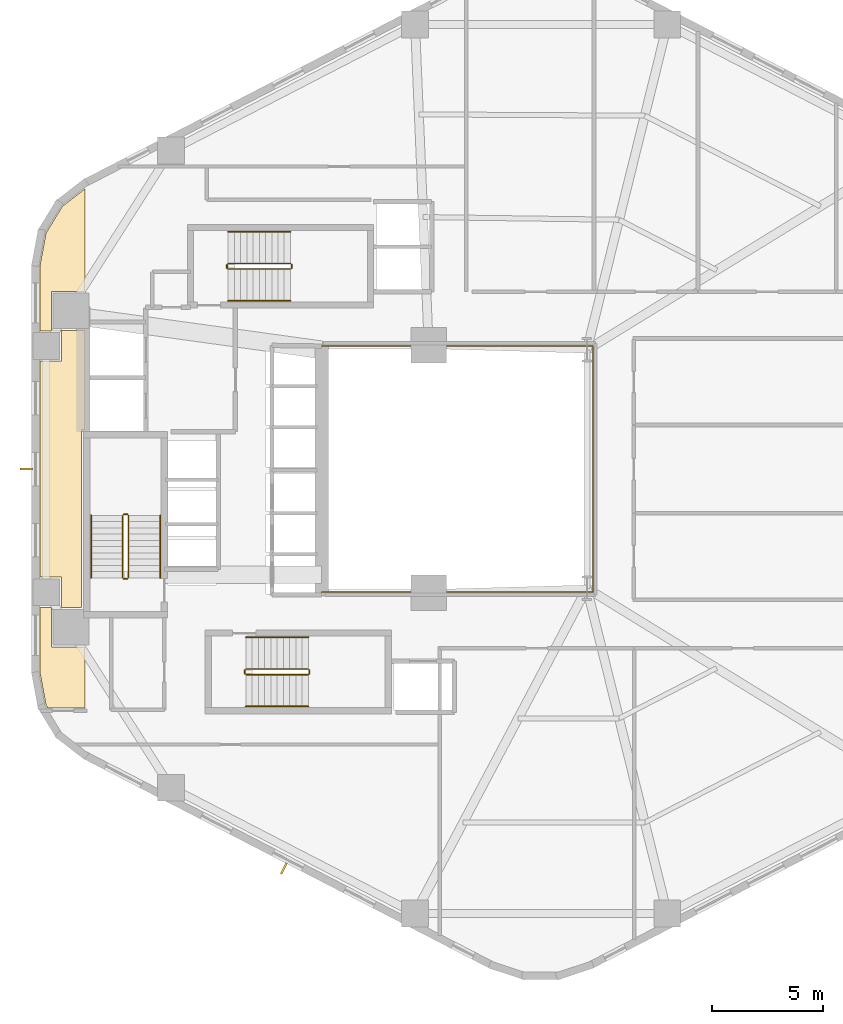
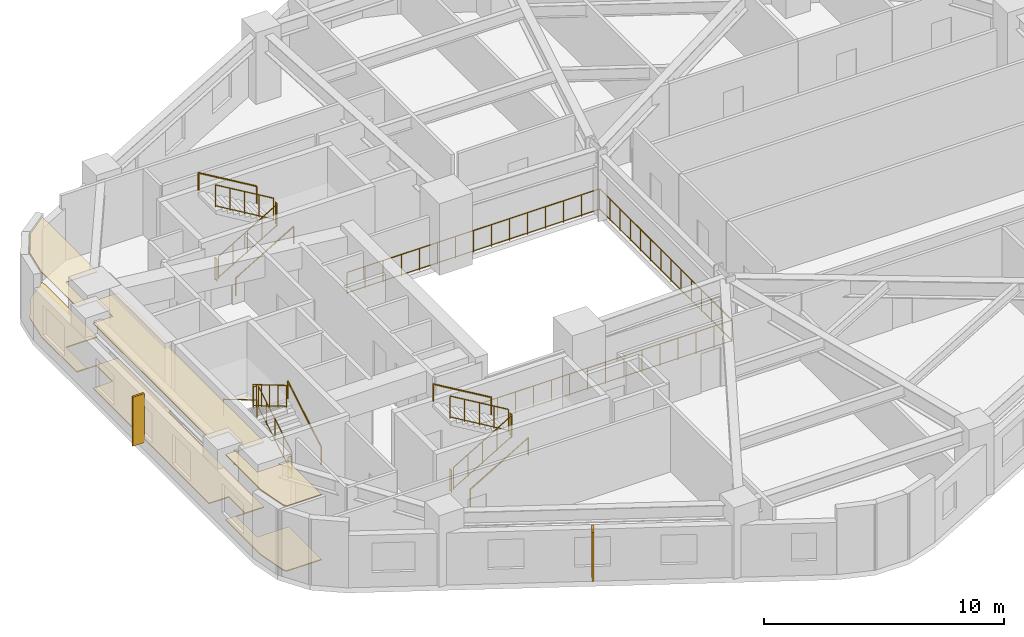
# One storey, part 7 of 7: 19 railings, 2 coverings, 2 shading devices.
"""IFC4 building model written with IfcOpenShell, lengths in metres."""

from ifc_helpers import new_model, si_unit, direction, frame, origin, origin_2d, place, context, subcontext, project, spatial, polyline, rectangle, circle, outline, extrude, material, layer, layer_set, type_object, element, save


model = new_model("IFC4")

# Units and contexts
model_context = context("Model", 3, precision=1e-05, world=origin(), true_north=direction((0.0, 1.0)))
body_context = subcontext(model_context, "Body", "Model", "MODEL_VIEW")
ifc_project = project(units=[si_unit("LENGTHUNIT", "METRE"), si_unit("AREAUNIT", "SQUARE_METRE"), si_unit("VOLUMEUNIT", "CUBIC_METRE"), si_unit("PLANEANGLEUNIT", "RADIAN"), si_unit("MASSUNIT", "GRAM", prefix="KILO"), si_unit("THERMODYNAMICTEMPERATUREUNIT", "KELVIN"), si_unit("POWERUNIT", "WATT")], contexts=[model_context])

# Site, building, storey
site_placement = place(None, origin())
site = spatial("IfcSite", under=ifc_project, at=site_placement, CompositionType="ELEMENT")
building_placement = place(site_placement, origin())
building = spatial("IfcBuilding", under=site, at=building_placement, Name="Skarre Station Tower", CompositionType="ELEMENT")
storey_placement = place(building_placement, frame((0.0, 0.0, 48.89990234375)))
storey = spatial("IfcBuildingStorey", under=building, at=storey_placement, Name="L12", CompositionType="ELEMENT", Elevation=48.89990234375)

# Railing
ifc_material_1 = material(Name="Bronze Anodized Steel & Laminated Glass Balustrade", Category="steel")
railing_type_1 = type_object("IfcRailingType", Name="Atrium Void & Mezzanine Guard Balustrade 1120", PredefinedType="GUARDRAIL", material=ifc_material_1)
railing_1_placement = place(storey_placement, frame((27.550048828125, 18.47998046875, 0.0)))
element("IfcRailing", 1, at=railing_1_placement, inside=storey, type_object=railing_type_1, Name="L12 Atrium Void Guard Balustrade", PredefinedType="GUARDRAIL", context=body_context, shape_type="SweptSolid", body=[
    extrude(circle(Radius=0.02392578125, at=origin_2d()), frame((0.0, 0.0, 1.09619140625), z_axis=(1.0, 0.0, 0.0), x_axis=(0.0, 1.0, 0.0)), (0.0, 0.0, 1.0), 12.169921875),
    extrude(circle(Radius=0.02099609375, at=origin_2d()), frame((0.0, 0.0, 0.06005859375), z_axis=(1.0, 0.0, 0.0), x_axis=(0.0, 1.0, 0.0)), (0.0, 0.0, 1.0), 12.169921875),
    extrude(circle(Radius=0.02392578125, at=origin_2d()), frame((12.169921875, 0.0, 1.09619140625), z_axis=(0.0, 1.0, 0.0), x_axis=(-1.0, 0.0, 0.0)), (0.0, 0.0, 1.0), 11.0400390625),
    extrude(circle(Radius=0.02099609375, at=origin_2d()), frame((12.169921875, 0.0, 0.06005859375), z_axis=(0.0, 1.0, 0.0), x_axis=(-1.0, 0.0, 0.0)), (0.0, 0.0, 1.0), 11.0400390625),
    extrude(circle(Radius=0.02392578125, at=origin_2d()), frame((12.169921875, 11.0400390625, 1.09619140625), z_axis=(-1.0, 0.0, 0.0), x_axis=(0.0, -1.0, 0.0)), (0.0, 0.0, 1.0), 12.169921875),
    extrude(circle(Radius=0.02099609375, at=origin_2d()), frame((12.169921875, 11.0400390625, 0.06005859375), z_axis=(-1.0, 0.0, 0.0), x_axis=(0.0, -1.0, 0.0)), (0.0, 0.0, 1.0), 12.169921875),
    extrude(circle(Radius=0.02099609375, at=origin_2d()), origin(), (0.0, 0.0, 1.0), 1.072021484375),
    extrude(circle(Radius=0.02099609375, at=origin_2d()), frame((0.869384765625, 0.0, 0.0)), (0.0, 0.0, 1.0), 1.072021484375),
    extrude(circle(Radius=0.02099609375, at=origin_2d()), frame((1.738525390625, 0.0, 0.0)), (0.0, 0.0, 1.0), 1.072021484375),
    extrude(circle(Radius=0.02099609375, at=origin_2d()), frame((2.60791015625, 0.0, 0.0)), (0.0, 0.0, 1.0), 1.072021484375),
    extrude(circle(Radius=0.02099609375, at=origin_2d()), frame((3.47705078125, 0.0, 0.0)), (0.0, 0.0, 1.0), 1.072021484375),
    extrude(circle(Radius=0.02099609375, at=origin_2d()), frame((4.346435546875, 0.0, 0.0)), (0.0, 0.0, 1.0), 1.072021484375),
    extrude(circle(Radius=0.02099609375, at=origin_2d()), frame((5.215576171875, 0.0, 0.0)), (0.0, 0.0, 1.0), 1.072021484375),
    extrude(circle(Radius=0.02099609375, at=origin_2d()), frame((6.0849609375, 0.0, 0.0)), (0.0, 0.0, 1.0), 1.072021484375),
    extrude(circle(Radius=0.02099609375, at=origin_2d()), frame((6.954345703125, 0.0, 0.0)), (0.0, 0.0, 1.0), 1.072021484375),
    extrude(circle(Radius=0.02099609375, at=origin_2d()), frame((7.823486328125, 0.0, 0.0)), (0.0, 0.0, 1.0), 1.072021484375),
    extrude(circle(Radius=0.02099609375, at=origin_2d()), frame((8.69287109375, 0.0, 0.0)), (0.0, 0.0, 1.0), 1.072021484375),
    extrude(circle(Radius=0.02099609375, at=origin_2d()), frame((9.56201171875, 0.0, 0.0)), (0.0, 0.0, 1.0), 1.072021484375),
    extrude(circle(Radius=0.02099609375, at=origin_2d()), frame((10.431396484375, 0.0, 0.0)), (0.0, 0.0, 1.0), 1.072021484375),
    extrude(circle(Radius=0.02099609375, at=origin_2d()), frame((11.300537109375, 0.0, 0.0)), (0.0, 0.0, 1.0), 1.072021484375),
    extrude(circle(Radius=0.02099609375, at=origin_2d()), frame((12.169921875, 0.0, 0.0)), (0.0, 0.0, 1.0), 1.072021484375),
    extrude(circle(Radius=0.02099609375, at=origin_2d()), frame((12.169921875, 0.84912109375, 0.0)), (0.0, 0.0, 1.0), 1.072021484375),
    extrude(circle(Radius=0.02099609375, at=origin_2d()), frame((12.169921875, 1.698486328125, 0.0)), (0.0, 0.0, 1.0), 1.072021484375),
    extrude(circle(Radius=0.02099609375, at=origin_2d()), frame((12.169921875, 2.547607421875, 0.0)), (0.0, 0.0, 1.0), 1.072021484375),
    extrude(circle(Radius=0.02099609375, at=origin_2d()), frame((12.169921875, 3.39697265625, 0.0)), (0.0, 0.0, 1.0), 1.072021484375),
    extrude(circle(Radius=0.02099609375, at=origin_2d()), frame((12.169921875, 4.24609375, 0.0)), (0.0, 0.0, 1.0), 1.072021484375),
    extrude(circle(Radius=0.02099609375, at=origin_2d()), frame((12.169921875, 5.095458984375, 0.0)), (0.0, 0.0, 1.0), 1.072021484375),
    extrude(circle(Radius=0.02099609375, at=origin_2d()), frame((12.169921875, 5.944580078125, 0.0)), (0.0, 0.0, 1.0), 1.072021484375),
    extrude(circle(Radius=0.02099609375, at=origin_2d()), frame((12.169921875, 6.7939453125, 0.0)), (0.0, 0.0, 1.0), 1.072021484375),
    extrude(circle(Radius=0.02099609375, at=origin_2d()), frame((12.169921875, 7.64306640625, 0.0)), (0.0, 0.0, 1.0), 1.072021484375),
    extrude(circle(Radius=0.02099609375, at=origin_2d()), frame((12.169921875, 8.492431640625, 0.0)), (0.0, 0.0, 1.0), 1.072021484375),
    extrude(circle(Radius=0.02099609375, at=origin_2d()), frame((12.169921875, 9.341552734375, 0.0)), (0.0, 0.0, 1.0), 1.072021484375),
    extrude(circle(Radius=0.02099609375, at=origin_2d()), frame((12.169921875, 10.19091796875, 0.0)), (0.0, 0.0, 1.0), 1.072021484375),
    extrude(circle(Radius=0.02099609375, at=origin_2d()), frame((12.169921875, 11.0400390625, 0.0)), (0.0, 0.0, 1.0), 1.072021484375),
    extrude(circle(Radius=0.02099609375, at=origin_2d()), frame((11.300537109375, 11.0400390625, 0.0)), (0.0, 0.0, 1.0), 1.072021484375),
    extrude(circle(Radius=0.02099609375, at=origin_2d()), frame((10.431396484375, 11.0400390625, 0.0)), (0.0, 0.0, 1.0), 1.072021484375),
    extrude(circle(Radius=0.02099609375, at=origin_2d()), frame((9.56201171875, 11.0400390625, 0.0)), (0.0, 0.0, 1.0), 1.072021484375),
    extrude(circle(Radius=0.02099609375, at=origin_2d()), frame((8.69287109375, 11.0400390625, 0.0)), (0.0, 0.0, 1.0), 1.072021484375),
    extrude(circle(Radius=0.02099609375, at=origin_2d()), frame((7.823486328125, 11.0400390625, 0.0)), (0.0, 0.0, 1.0), 1.072021484375),
    extrude(circle(Radius=0.02099609375, at=origin_2d()), frame((6.954345703125, 11.0400390625, 0.0)), (0.0, 0.0, 1.0), 1.072021484375),
    extrude(circle(Radius=0.02099609375, at=origin_2d()), frame((6.0849609375, 11.0400390625, 0.0)), (0.0, 0.0, 1.0), 1.072021484375),
    extrude(circle(Radius=0.02099609375, at=origin_2d()), frame((5.215576171875, 11.0400390625, 0.0)), (0.0, 0.0, 1.0), 1.072021484375),
    extrude(circle(Radius=0.02099609375, at=origin_2d()), frame((4.346435546875, 11.0400390625, 0.0)), (0.0, 0.0, 1.0), 1.072021484375),
    extrude(circle(Radius=0.02099609375, at=origin_2d()), frame((3.47705078125, 11.0400390625, 0.0)), (0.0, 0.0, 1.0), 1.072021484375),
    extrude(circle(Radius=0.02099609375, at=origin_2d()), frame((2.60791015625, 11.0400390625, 0.0)), (0.0, 0.0, 1.0), 1.072021484375),
    extrude(circle(Radius=0.02099609375, at=origin_2d()), frame((1.738525390625, 11.0400390625, 0.0)), (0.0, 0.0, 1.0), 1.072021484375),
    extrude(circle(Radius=0.02099609375, at=origin_2d()), frame((0.869384765625, 11.0400390625, 0.0)), (0.0, 0.0, 1.0), 1.072021484375),
    extrude(circle(Radius=0.02099609375, at=origin_2d()), frame((0.0, 11.0400390625, 0.0)), (0.0, 0.0, 1.0), 1.072021484375),
])

# Coverings
ifc_material_2 = material(Name="Honed Jura Limestone & Calcium-Sulfate Access Tile", Category="masonry")
ifc_layer_1 = layer(ifc_material_2, 0.050048828125, Name="Honed Jura Limestone & Calcium-Sulfate Access Tile")
ifc_layer_set_1 = layer_set([ifc_layer_1], Name="Honed Jura Limestone & Calcium-Sulfate Access Tile")
covering_type_1 = type_object("IfcCoveringType", Name="Honed Limestone & Raised Access Floor Finish 50", PredefinedType="FLOORING", material=ifc_layer_set_1)
covering_1_placement = place(storey_placement, origin())
element("IfcCovering", 2, at=covering_1_placement, inside=storey, type_object=covering_type_1, Name="L12 Limestone Access Flooring 1", PredefinedType="FLOORING", context=body_context, shape_type="SweptSolid", body=[
    extrude(outline(polyline([(16.93994140625, 36.583984375), (15.910888671875, 35.787109375), (15.178955078125, 34.5859375), (14.9169921875, 33.1669921875), (14.9169921875, 30.200927734375), (15.866943359375, 30.200927734375), (15.866943359375, 28.841064453125), (14.9169921875, 28.841064453125), (14.9169921875, 19.158935546875), (15.866943359375, 19.158935546875), (15.866943359375, 17.799072265625), (14.9169921875, 17.799072265625), (14.9169921875, 14.8330078125), (15.178955078125, 13.4140625), (15.260986328125, 13.280029296875), (16.93994140625, 13.280029296875), (16.93994140625, 16.02001953125), (15.419921875, 16.02001953125), (15.419921875, 17.780029296875), (16.77001953125, 17.780029296875), (16.77001953125, 25.699951171875), (16.77001953125, 25.7080078125), (16.77197265625, 25.716064453125), (16.77294921875, 25.722900390625), (16.77587890625, 25.73095703125), (16.779052734375, 25.738037109375), (16.782958984375, 25.743896484375), (16.7880859375, 25.7509765625), (16.79296875, 25.757080078125), (16.799072265625, 25.761962890625), (16.805908203125, 25.76708984375), (16.81201171875, 25.77099609375), (16.819091796875, 25.77392578125), (16.826904296875, 25.777099609375), (16.833984375, 25.778076171875), (16.842041015625, 25.780029296875), (16.85009765625, 25.780029296875), (16.919921875, 25.780029296875), (16.919921875, 30.219970703125), (15.419921875, 30.219970703125), (15.419921875, 31.97998046875), (16.93994140625, 31.97998046875), (16.93994140625, 36.583984375)])), origin(), (0.0, 0.0, 1.0), 0.050048828125),
])
ifc_material_3 = material(Name="Perforated Nordic Birch Veneer & Mineral Wool", Category="wood")
ifc_layer_2 = layer(ifc_material_3, 0.044921875, Name="Perforated Nordic Birch Veneer & Mineral Wool")
ifc_layer_set_2 = layer_set([ifc_layer_2], Name="Perforated Nordic Birch Veneer & Mineral Wool")
covering_type_2 = type_object("IfcCoveringType", Name="Nordic Birch Slatted Acoustic Suspended Ceiling 45", PredefinedType="CEILING", material=ifc_layer_set_2)
covering_2_placement = place(storey_placement, frame((0.0, 0.0, 3.315185546875)))
element("IfcCovering", 3, at=covering_2_placement, inside=storey, type_object=covering_type_2, Name="L12 Acoustic Birch Ceiling 1", PredefinedType="CEILING", context=body_context, shape_type="SweptSolid", body=[
    extrude(outline(polyline([(16.93994140625, 36.583984375), (15.910888671875, 35.787109375), (15.178955078125, 34.5859375), (14.9169921875, 33.1669921875), (14.9169921875, 30.200927734375), (15.866943359375, 30.200927734375), (15.866943359375, 28.841064453125), (14.9169921875, 28.841064453125), (14.9169921875, 19.158935546875), (15.866943359375, 19.158935546875), (15.866943359375, 17.799072265625), (14.9169921875, 17.799072265625), (14.9169921875, 14.8330078125), (15.178955078125, 13.4140625), (15.260986328125, 13.280029296875), (16.93994140625, 13.280029296875), (16.93994140625, 16.02001953125), (15.419921875, 16.02001953125), (15.419921875, 17.780029296875), (16.77001953125, 17.780029296875), (16.77001953125, 25.699951171875), (16.77001953125, 25.7080078125), (16.77197265625, 25.716064453125), (16.77294921875, 25.722900390625), (16.77587890625, 25.73095703125), (16.779052734375, 25.738037109375), (16.782958984375, 25.743896484375), (16.7880859375, 25.7509765625), (16.79296875, 25.757080078125), (16.799072265625, 25.761962890625), (16.805908203125, 25.76708984375), (16.81201171875, 25.77099609375), (16.819091796875, 25.77392578125), (16.826904296875, 25.777099609375), (16.833984375, 25.778076171875), (16.842041015625, 25.780029296875), (16.85009765625, 25.780029296875), (16.919921875, 25.780029296875), (16.919921875, 30.219970703125), (15.419921875, 30.219970703125), (15.419921875, 31.97998046875), (16.93994140625, 31.97998046875), (16.93994140625, 36.583984375)])), origin(), (0.0, 0.0, 1.0), 0.044921875),
])

# Shading devices
ifc_material_4 = material(Name="Bronze Anodized Extruded Aluminium 6063-T6", Category="aluminium")
shading_device_type = type_object("IfcShadingDeviceType", Name="Nordic Bronze Vertical Solar Fin 550x90", PredefinedType="SHUTTER", material=ifc_material_4)
for number, where, z_axis, x_axis, name in (
    (4, (14.287109375, 24.0, 0.35009765625), (0.0, 0.0, 1.0), (-1.0, 0.0, 0.0), "L12 Facet 2 Bronze Solar Fin"),
    (5, (25.85400390625, 6.077880859375, 0.35009765625), (0.0, 0.0, 1.0), (-0.458618535612, -0.888633242003, 0.0), "L12 Facet 3 Bronze Solar Fin"),
):
    element("IfcShadingDevice", number, at=place(storey_placement, frame(where, z_axis=z_axis, x_axis=x_axis)), inside=storey, type_object=shading_device_type, Name=name, PredefinedType="SHUTTER", context=body_context, shape_type="SweptSolid", body=[
        extrude(rectangle(XDim=0.550048828125, YDim=0.090087890625, at=origin_2d()), origin(), (0.0, 0.0, 1.0), 2.5),
    ])

# Railings
ifc_material_5 = material(Name="Powder-Coated Tubular Steel", Category="steel")
railing_type_2 = type_object("IfcRailingType", Name="Painted Steel Ramp & Stair Handrail 920", PredefinedType="HANDRAIL", material=ifc_material_5)
railing_2_placement = place(storey_placement, frame((20.300048828125, 19.1201171875, 0.166015625)))
element("IfcRailing", 6, at=railing_2_placement, inside=storey, type_object=railing_type_2, Name="L12 ST-1 stair handrail 1", PredefinedType="HANDRAIL", context=body_context, shape_type="SweptSolid", body=[
    extrude(circle(Radius=0.02392578125, at=origin_2d()), frame((0.0, 0.0, 0.8759765625), z_axis=(0.0, 0.860286659441, 0.509810615413), x_axis=(-1.0, 0.0, 0.0)), (0.0, 0.0, 1.0), 3.25439453125),
    extrude(circle(Radius=0.02099609375, at=origin_2d()), origin(), (0.0, 0.0, 1.0), 0.851806640625),
    extrude(circle(Radius=0.02099609375, at=origin_2d()), frame((0.0, 2.7998046875, 1.6591796875)), (0.0, 0.0, 1.0), 0.851806640625),
])
railing_3_placement = place(storey_placement, frame((17.199951171875, 21.919921875, 1.990966796875)))
element("IfcRailing", 7, at=railing_3_placement, inside=storey, type_object=railing_type_2, Name="L12 ST-1 stair handrail 2", PredefinedType="HANDRAIL", context=body_context, shape_type="SweptSolid", body=[
    extrude(circle(Radius=0.02392578125, at=origin_2d()), frame((0.0, 0.0, 0.8759765625), z_axis=(0.0, -0.860286659441, 0.509810615413), x_axis=(1.0, 0.0, 0.0)), (0.0, 0.0, 1.0), 3.25439453125),
    extrude(circle(Radius=0.02099609375, at=origin_2d()), origin(), (0.0, 0.0, 1.0), 0.851806640625),
    extrude(circle(Radius=0.02099609375, at=origin_2d()), frame((0.0, -2.7998046875, 1.6591796875)), (0.0, 0.0, 1.0), 0.851806640625),
])
railing_4_placement = place(storey_placement, frame((24.14990234375, 13.35009765625, 0.166015625)))
element("IfcRailing", 8, at=railing_4_placement, inside=storey, type_object=railing_type_2, Name="L12 ST-2 stair handrail 1", PredefinedType="HANDRAIL", context=body_context, shape_type="SweptSolid", body=[
    extrude(circle(Radius=0.02392578125, at=origin_2d()), frame((0.0, 0.0, 0.8759765625), z_axis=(0.860306154799, 0.0, 0.50977771628), x_axis=(0.0, 1.0, 0.0)), (0.0, 0.0, 1.0), 3.254638671875),
    extrude(circle(Radius=0.02099609375, at=origin_2d()), origin(), (0.0, 0.0, 1.0), 0.851806640625),
    extrude(circle(Radius=0.02099609375, at=origin_2d()), frame((2.800048828125, 0.0, 1.6591796875)), (0.0, 0.0, 1.0), 0.851806640625),
])
railing_5_placement = place(storey_placement, frame((26.949951171875, 16.449951171875, 1.990966796875)))
element("IfcRailing", 9, at=railing_5_placement, inside=storey, type_object=railing_type_2, Name="L12 ST-2 stair handrail 2", PredefinedType="HANDRAIL", context=body_context, shape_type="SweptSolid", body=[
    extrude(circle(Radius=0.02392578125, at=origin_2d()), frame((0.0, 0.0, 0.8759765625), z_axis=(-0.860306154799, 0.0, 0.50977771628), x_axis=(0.0, -1.0, 0.0)), (0.0, 0.0, 1.0), 3.254638671875),
    extrude(circle(Radius=0.02099609375, at=origin_2d()), origin(), (0.0, 0.0, 1.0), 0.851806640625),
    extrude(circle(Radius=0.02099609375, at=origin_2d()), frame((-2.800048828125, 0.0, 1.6591796875)), (0.0, 0.0, 1.0), 0.851806640625),
])
railing_6_placement = place(storey_placement, frame((23.35009765625, 31.550048828125, 0.166015625)))
element("IfcRailing", 10, at=railing_6_placement, inside=storey, type_object=railing_type_2, Name="L12 ST-3 stair handrail 1", PredefinedType="HANDRAIL", context=body_context, shape_type="SweptSolid", body=[
    extrude(circle(Radius=0.02392578125, at=origin_2d()), frame((0.0, 0.0, 0.8759765625), z_axis=(0.860286659441, 0.0, 0.509810615413), x_axis=(0.0, 1.0, 0.0)), (0.0, 0.0, 1.0), 3.25439453125),
    extrude(circle(Radius=0.02099609375, at=origin_2d()), origin(), (0.0, 0.0, 1.0), 0.851806640625),
    extrude(circle(Radius=0.02099609375, at=origin_2d()), frame((2.7998046875, 0.0, 1.6591796875)), (0.0, 0.0, 1.0), 0.851806640625),
])
railing_7_placement = place(storey_placement, frame((26.14990234375, 34.64990234375, 1.990966796875)))
element("IfcRailing", 11, at=railing_7_placement, inside=storey, type_object=railing_type_2, Name="L12 ST-3 stair handrail 2", PredefinedType="HANDRAIL", context=body_context, shape_type="SweptSolid", body=[
    extrude(circle(Radius=0.02392578125, at=origin_2d()), frame((0.0, 0.0, 0.8759765625), z_axis=(-0.860286659441, 0.0, 0.509810615413), x_axis=(0.0, -1.0, 0.0)), (0.0, 0.0, 1.0), 3.25439453125),
    extrude(circle(Radius=0.02099609375, at=origin_2d()), origin(), (0.0, 0.0, 1.0), 0.851806640625),
    extrude(circle(Radius=0.02099609375, at=origin_2d()), frame((-2.7998046875, 0.0, 1.6591796875)), (0.0, 0.0, 1.0), 0.851806640625),
])
railing_type_3 = type_object("IfcRailingType", Name="Painted Steel Stairwell Guardrail 1100", PredefinedType="GUARDRAIL", material=ifc_material_5)
railing_8_placement = place(storey_placement, frame((18.8798828125, 19.1201171875, 0.166015625)))
element("IfcRailing", 12, at=railing_8_placement, inside=storey, type_object=railing_type_3, Name="L12 ST-1 stair guard 1", PredefinedType="GUARDRAIL", context=body_context, shape_type="SweptSolid", body=[
    extrude(circle(Radius=0.02392578125, at=origin_2d()), frame((0.0, 0.0, 1.1259765625), z_axis=(0.0, 0.860286659441, 0.509810615413), x_axis=(-1.0, 0.0, 0.0)), (0.0, 0.0, 1.0), 3.25439453125),
    extrude(circle(Radius=0.02099609375, at=origin_2d()), frame((0.0, 0.0, 0.06005859375), z_axis=(0.0, 0.860286659441, 0.509810615413), x_axis=(-1.0, 0.0, 0.0)), (0.0, 0.0, 1.0), 3.25439453125),
    extrude(circle(Radius=0.02099609375, at=origin_2d()), origin(), (0.0, 0.0, 1.0), 1.101806640625),
    extrude(circle(Radius=0.02099609375, at=origin_2d()), frame((0.0, 0.699951171875, 0.414794921875)), (0.0, 0.0, 1.0), 1.101806640625),
    extrude(circle(Radius=0.02099609375, at=origin_2d()), frame((0.0, 1.39990234375, 0.82958984375)), (0.0, 0.0, 1.0), 1.101806640625),
    extrude(circle(Radius=0.02099609375, at=origin_2d()), frame((0.0, 2.099853515625, 1.244384765625)), (0.0, 0.0, 1.0), 1.101806640625),
    extrude(circle(Radius=0.02099609375, at=origin_2d()), frame((0.0, 2.7998046875, 1.6591796875)), (0.0, 0.0, 1.0), 1.101806640625),
])
railing_9_placement = place(storey_placement, frame((18.830078125, 21.969970703125, 1.8251953125)))
element("IfcRailing", 13, at=railing_9_placement, inside=storey, type_object=railing_type_3, Name="L12 ST-1 stair guard 2", PredefinedType="GUARDRAIL", context=body_context, shape_type="SweptSolid", body=[
    extrude(circle(Radius=0.02392578125, at=origin_2d()), frame((0.0, 0.0, 1.1259765625), z_axis=(-1.0, 0.0, 0.0), x_axis=(0.0, -1.0, 0.0)), (0.0, 0.0, 1.0), 0.16015625),
    extrude(circle(Radius=0.02099609375, at=origin_2d()), frame((0.0, 0.0, 0.06005859375), z_axis=(-1.0, 0.0, 0.0), x_axis=(0.0, -1.0, 0.0)), (0.0, 0.0, 1.0), 0.16015625),
    extrude(circle(Radius=0.02099609375, at=origin_2d()), origin(), (0.0, 0.0, 1.0), 1.101806640625),
    extrude(circle(Radius=0.02099609375, at=origin_2d()), frame((-0.16015625, 0.0, 0.0)), (0.0, 0.0, 1.0), 1.101806640625),
])
railing_10_placement = place(storey_placement, frame((18.6201171875, 21.919921875, 1.990966796875)))
element("IfcRailing", 14, at=railing_10_placement, inside=storey, type_object=railing_type_3, Name="L12 ST-1 stair guard 3", PredefinedType="GUARDRAIL", context=body_context, shape_type="SweptSolid", body=[
    extrude(circle(Radius=0.02392578125, at=origin_2d()), frame((0.0, 0.0, 1.1259765625), z_axis=(0.0, -0.860286659441, 0.509810615413), x_axis=(1.0, 0.0, 0.0)), (0.0, 0.0, 1.0), 3.25439453125),
    extrude(circle(Radius=0.02099609375, at=origin_2d()), frame((0.0, 0.0, 0.06005859375), z_axis=(0.0, -0.860286659441, 0.509810615413), x_axis=(1.0, 0.0, 0.0)), (0.0, 0.0, 1.0), 3.25439453125),
    extrude(circle(Radius=0.02099609375, at=origin_2d()), origin(), (0.0, 0.0, 1.0), 1.101806640625),
    extrude(circle(Radius=0.02099609375, at=origin_2d()), frame((0.0, -0.699951171875, 0.414794921875)), (0.0, 0.0, 1.0), 1.101806640625),
    extrude(circle(Radius=0.02099609375, at=origin_2d()), frame((0.0, -1.39990234375, 0.82958984375)), (0.0, 0.0, 1.0), 1.101806640625),
    extrude(circle(Radius=0.02099609375, at=origin_2d()), frame((0.0, -2.099853515625, 1.244384765625)), (0.0, 0.0, 1.0), 1.101806640625),
    extrude(circle(Radius=0.02099609375, at=origin_2d()), frame((0.0, -2.7998046875, 1.6591796875)), (0.0, 0.0, 1.0), 1.101806640625),
])
railing_11_placement = place(storey_placement, frame((18.830078125, 19.070068359375, 0.0)))
element("IfcRailing", 15, at=railing_11_placement, inside=storey, type_object=railing_type_3, Name="L12 ST-1 stair guard 4", PredefinedType="GUARDRAIL", context=body_context, shape_type="SweptSolid", body=[
    extrude(circle(Radius=0.02392578125, at=origin_2d()), frame((0.0, 0.0, 1.1259765625), z_axis=(-1.0, 0.0, 0.0), x_axis=(0.0, -1.0, 0.0)), (0.0, 0.0, 1.0), 0.16015625),
    extrude(circle(Radius=0.02099609375, at=origin_2d()), frame((0.0, 0.0, 0.06005859375), z_axis=(-1.0, 0.0, 0.0), x_axis=(0.0, -1.0, 0.0)), (0.0, 0.0, 1.0), 0.16015625),
    extrude(circle(Radius=0.02099609375, at=origin_2d()), origin(), (0.0, 0.0, 1.0), 1.101806640625),
    extrude(circle(Radius=0.02099609375, at=origin_2d()), frame((-0.16015625, 0.0, 0.0)), (0.0, 0.0, 1.0), 1.101806640625),
])
railing_12_placement = place(storey_placement, frame((24.14990234375, 14.77001953125, 0.166015625)))
element("IfcRailing", 16, at=railing_12_placement, inside=storey, type_object=railing_type_3, Name="L12 ST-2 stair guard 1", PredefinedType="GUARDRAIL", context=body_context, shape_type="SweptSolid", body=[
    extrude(circle(Radius=0.02392578125, at=origin_2d()), frame((0.0, 0.0, 1.1259765625), z_axis=(0.860306154799, 0.0, 0.50977771628), x_axis=(0.0, 1.0, 0.0)), (0.0, 0.0, 1.0), 3.254638671875),
    extrude(circle(Radius=0.02099609375, at=origin_2d()), frame((0.0, 0.0, 0.06005859375), z_axis=(0.860306154799, 0.0, 0.50977771628), x_axis=(0.0, 1.0, 0.0)), (0.0, 0.0, 1.0), 3.254638671875),
    extrude(circle(Radius=0.02099609375, at=origin_2d()), origin(), (0.0, 0.0, 1.0), 1.101806640625),
    extrude(circle(Radius=0.02099609375, at=origin_2d()), frame((0.699951171875, 0.0, 0.414794921875)), (0.0, 0.0, 1.0), 1.101806640625),
    extrude(circle(Radius=0.02099609375, at=origin_2d()), frame((1.39990234375, 0.0, 0.82958984375)), (0.0, 0.0, 1.0), 1.101806640625),
    extrude(circle(Radius=0.02099609375, at=origin_2d()), frame((2.10009765625, 0.0, 1.244384765625)), (0.0, 0.0, 1.0), 1.101806640625),
    extrude(circle(Radius=0.02099609375, at=origin_2d()), frame((2.800048828125, 0.0, 1.6591796875)), (0.0, 0.0, 1.0), 1.101806640625),
])
railing_13_placement = place(storey_placement, frame((27.0, 14.820068359375, 1.8251953125)))
element("IfcRailing", 17, at=railing_13_placement, inside=storey, type_object=railing_type_3, Name="L12 ST-2 stair guard 2", PredefinedType="GUARDRAIL", context=body_context, shape_type="SweptSolid", body=[
    extrude(circle(Radius=0.02392578125, at=origin_2d()), frame((0.0, 0.0, 1.1259765625), z_axis=(0.0, 1.0, 0.0), x_axis=(-1.0, 0.0, 0.0)), (0.0, 0.0, 1.0), 0.159912109375),
    extrude(circle(Radius=0.02099609375, at=origin_2d()), frame((0.0, 0.0, 0.06005859375), z_axis=(0.0, 1.0, 0.0), x_axis=(-1.0, 0.0, 0.0)), (0.0, 0.0, 1.0), 0.159912109375),
    extrude(circle(Radius=0.02099609375, at=origin_2d()), origin(), (0.0, 0.0, 1.0), 1.101806640625),
    extrude(circle(Radius=0.02099609375, at=origin_2d()), frame((0.0, 0.159912109375, 0.0)), (0.0, 0.0, 1.0), 1.101806640625),
])
railing_14_placement = place(storey_placement, frame((26.949951171875, 15.030029296875, 1.990966796875)))
element("IfcRailing", 18, at=railing_14_placement, inside=storey, type_object=railing_type_3, Name="L12 ST-2 stair guard 3", PredefinedType="GUARDRAIL", context=body_context, shape_type="SweptSolid", body=[
    extrude(circle(Radius=0.02392578125, at=origin_2d()), frame((0.0, 0.0, 1.1259765625), z_axis=(-0.860306154799, 0.0, 0.50977771628), x_axis=(0.0, -1.0, 0.0)), (0.0, 0.0, 1.0), 3.254638671875),
    extrude(circle(Radius=0.02099609375, at=origin_2d()), frame((0.0, 0.0, 0.06005859375), z_axis=(-0.860306154799, 0.0, 0.50977771628), x_axis=(0.0, -1.0, 0.0)), (0.0, 0.0, 1.0), 3.254638671875),
    extrude(circle(Radius=0.02099609375, at=origin_2d()), origin(), (0.0, 0.0, 1.0), 1.101806640625),
    extrude(circle(Radius=0.02099609375, at=origin_2d()), frame((-0.699951171875, 0.0, 0.414794921875)), (0.0, 0.0, 1.0), 1.101806640625),
    extrude(circle(Radius=0.02099609375, at=origin_2d()), frame((-1.39990234375, 0.0, 0.82958984375)), (0.0, 0.0, 1.0), 1.101806640625),
    extrude(circle(Radius=0.02099609375, at=origin_2d()), frame((-2.10009765625, 0.0, 1.244384765625)), (0.0, 0.0, 1.0), 1.101806640625),
    extrude(circle(Radius=0.02099609375, at=origin_2d()), frame((-2.800048828125, 0.0, 1.6591796875)), (0.0, 0.0, 1.0), 1.101806640625),
])
railing_15_placement = place(storey_placement, frame((24.10009765625, 14.820068359375, 0.0)))
element("IfcRailing", 19, at=railing_15_placement, inside=storey, type_object=railing_type_3, Name="L12 ST-2 stair guard 4", PredefinedType="GUARDRAIL", context=body_context, shape_type="SweptSolid", body=[
    extrude(circle(Radius=0.02392578125, at=origin_2d()), frame((0.0, 0.0, 1.1259765625), z_axis=(0.0, 1.0, 0.0), x_axis=(-1.0, 0.0, 0.0)), (0.0, 0.0, 1.0), 0.159912109375),
    extrude(circle(Radius=0.02099609375, at=origin_2d()), frame((0.0, 0.0, 0.06005859375), z_axis=(0.0, 1.0, 0.0), x_axis=(-1.0, 0.0, 0.0)), (0.0, 0.0, 1.0), 0.159912109375),
    extrude(circle(Radius=0.02099609375, at=origin_2d()), origin(), (0.0, 0.0, 1.0), 1.101806640625),
    extrude(circle(Radius=0.02099609375, at=origin_2d()), frame((0.0, 0.159912109375, 0.0)), (0.0, 0.0, 1.0), 1.101806640625),
])
railing_16_placement = place(storey_placement, frame((23.35009765625, 32.969970703125, 0.166015625)))
element("IfcRailing", 20, at=railing_16_placement, inside=storey, type_object=railing_type_3, Name="L12 ST-3 stair guard 1", PredefinedType="GUARDRAIL", context=body_context, shape_type="SweptSolid", body=[
    extrude(circle(Radius=0.02392578125, at=origin_2d()), frame((0.0, 0.0, 1.1259765625), z_axis=(0.860286659441, 0.0, 0.509810615413), x_axis=(0.0, 1.0, 0.0)), (0.0, 0.0, 1.0), 3.25439453125),
    extrude(circle(Radius=0.02099609375, at=origin_2d()), frame((0.0, 0.0, 0.06005859375), z_axis=(0.860286659441, 0.0, 0.509810615413), x_axis=(0.0, 1.0, 0.0)), (0.0, 0.0, 1.0), 3.25439453125),
    extrude(circle(Radius=0.02099609375, at=origin_2d()), origin(), (0.0, 0.0, 1.0), 1.101806640625),
    extrude(circle(Radius=0.02099609375, at=origin_2d()), frame((0.699951171875, 0.0, 0.414794921875)), (0.0, 0.0, 1.0), 1.101806640625),
    extrude(circle(Radius=0.02099609375, at=origin_2d()), frame((1.39990234375, 0.0, 0.82958984375)), (0.0, 0.0, 1.0), 1.101806640625),
    extrude(circle(Radius=0.02099609375, at=origin_2d()), frame((2.099853515625, 0.0, 1.244384765625)), (0.0, 0.0, 1.0), 1.101806640625),
    extrude(circle(Radius=0.02099609375, at=origin_2d()), frame((2.7998046875, 0.0, 1.6591796875)), (0.0, 0.0, 1.0), 1.101806640625),
])
railing_17_placement = place(storey_placement, frame((26.199951171875, 33.02001953125, 1.8251953125)))
element("IfcRailing", 21, at=railing_17_placement, inside=storey, type_object=railing_type_3, Name="L12 ST-3 stair guard 2", PredefinedType="GUARDRAIL", context=body_context, shape_type="SweptSolid", body=[
    extrude(circle(Radius=0.02392578125, at=origin_2d()), frame((0.0, 0.0, 1.1259765625), z_axis=(0.0, 1.0, 0.0), x_axis=(-1.0, 0.0, 0.0)), (0.0, 0.0, 1.0), 0.159912109375),
    extrude(circle(Radius=0.02099609375, at=origin_2d()), frame((0.0, 0.0, 0.06005859375), z_axis=(0.0, 1.0, 0.0), x_axis=(-1.0, 0.0, 0.0)), (0.0, 0.0, 1.0), 0.159912109375),
    extrude(circle(Radius=0.02099609375, at=origin_2d()), origin(), (0.0, 0.0, 1.0), 1.101806640625),
    extrude(circle(Radius=0.02099609375, at=origin_2d()), frame((0.0, 0.159912109375, 0.0)), (0.0, 0.0, 1.0), 1.101806640625),
])
railing_18_placement = place(storey_placement, frame((26.14990234375, 33.22998046875, 1.990966796875)))
element("IfcRailing", 22, at=railing_18_placement, inside=storey, type_object=railing_type_3, Name="L12 ST-3 stair guard 3", PredefinedType="GUARDRAIL", context=body_context, shape_type="SweptSolid", body=[
    extrude(circle(Radius=0.02392578125, at=origin_2d()), frame((0.0, 0.0, 1.1259765625), z_axis=(-0.860286659441, 0.0, 0.509810615413), x_axis=(0.0, -1.0, 0.0)), (0.0, 0.0, 1.0), 3.25439453125),
    extrude(circle(Radius=0.02099609375, at=origin_2d()), frame((0.0, 0.0, 0.06005859375), z_axis=(-0.860286659441, 0.0, 0.509810615413), x_axis=(0.0, -1.0, 0.0)), (0.0, 0.0, 1.0), 3.25439453125),
    extrude(circle(Radius=0.02099609375, at=origin_2d()), origin(), (0.0, 0.0, 1.0), 1.101806640625),
    extrude(circle(Radius=0.02099609375, at=origin_2d()), frame((-0.699951171875, 0.0, 0.414794921875)), (0.0, 0.0, 1.0), 1.101806640625),
    extrude(circle(Radius=0.02099609375, at=origin_2d()), frame((-1.39990234375, 0.0, 0.82958984375)), (0.0, 0.0, 1.0), 1.101806640625),
    extrude(circle(Radius=0.02099609375, at=origin_2d()), frame((-2.099853515625, 0.0, 1.244384765625)), (0.0, 0.0, 1.0), 1.101806640625),
    extrude(circle(Radius=0.02099609375, at=origin_2d()), frame((-2.7998046875, 0.0, 1.6591796875)), (0.0, 0.0, 1.0), 1.101806640625),
])
railing_19_placement = place(storey_placement, frame((23.300048828125, 33.02001953125, 0.0)))
element("IfcRailing", 23, at=railing_19_placement, inside=storey, type_object=railing_type_3, Name="L12 ST-3 stair guard 4", PredefinedType="GUARDRAIL", context=body_context, shape_type="SweptSolid", body=[
    extrude(circle(Radius=0.02392578125, at=origin_2d()), frame((0.0, 0.0, 1.1259765625), z_axis=(0.0, 1.0, 0.0), x_axis=(-1.0, 0.0, 0.0)), (0.0, 0.0, 1.0), 0.159912109375),
    extrude(circle(Radius=0.02099609375, at=origin_2d()), frame((0.0, 0.0, 0.06005859375), z_axis=(0.0, 1.0, 0.0), x_axis=(-1.0, 0.0, 0.0)), (0.0, 0.0, 1.0), 0.159912109375),
    extrude(circle(Radius=0.02099609375, at=origin_2d()), origin(), (0.0, 0.0, 1.0), 1.101806640625),
    extrude(circle(Radius=0.02099609375, at=origin_2d()), frame((0.0, 0.159912109375, 0.0)), (0.0, 0.0, 1.0), 1.101806640625),
])

save(model, "model.ifc")
